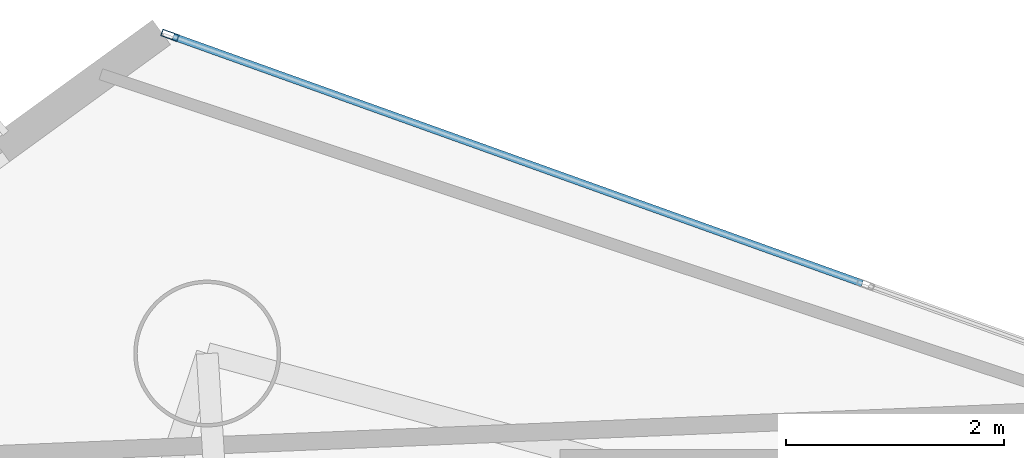
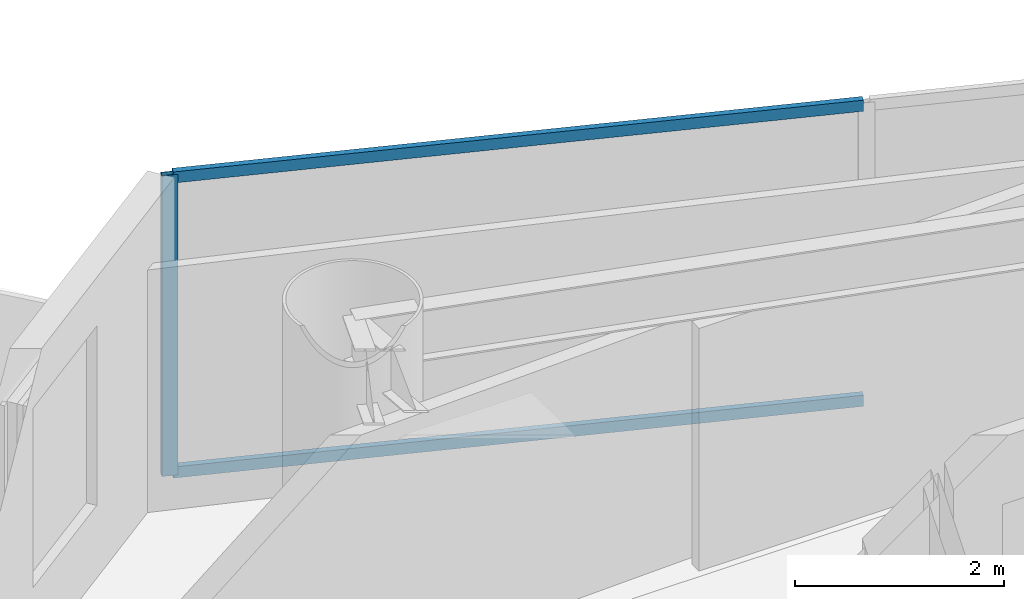
# One storey, part 16 of 21: 3 members, 1 element without a shape of its own.
"""IFC4 building model written with IfcOpenShell, lengths in metres."""

from ifc_helpers import new_model, si_unit, direction, frame, origin, origin_2d, place, context, subcontext, project, spatial, hollow_rectangle, extrude, material, layer, layer_set, material_profile, profile_set, type_object, element, aggregate, save


model = new_model("IFC4")

# Units and contexts
model_context = context("Model", 3, precision=1e-05, world=origin(), true_north=direction((0.0, 1.0)))
body_context = subcontext(model_context, "Body", "Model", "MODEL_VIEW")
ifc_project = project(units=[si_unit("LENGTHUNIT", "METRE"), si_unit("AREAUNIT", "SQUARE_METRE"), si_unit("VOLUMEUNIT", "CUBIC_METRE"), si_unit("PLANEANGLEUNIT", "RADIAN"), si_unit("MASSUNIT", "GRAM", prefix="KILO")], contexts=[model_context])

# Site, building, storey
site_placement = place(None, origin())
site = spatial("IfcSite", under=ifc_project, at=site_placement, CompositionType="ELEMENT")
building_placement = place(site_placement, origin())
building = spatial("IfcBuilding", under=site, at=building_placement, Name="Qianvela Tower", CompositionType="ELEMENT")
storey_placement = place(building_placement, frame((0.0, 0.0, 166.10009765625)))
storey = spatial("IfcBuildingStorey", under=building, at=storey_placement, Name="L42", CompositionType="ELEMENT", Elevation=166.10009765625)

# Curtain wall, members
ifc_material_1 = material(Name="Anodised Architectural Aluminium and Low-E Glass", Category="aluminium")
ifc_layer = layer(ifc_material_1, 0.169921875)
ifc_layer_set = layer_set([ifc_layer], Name="Anodised Architectural Aluminium and Low-E Glass")
curtain_wall_type = type_object("IfcCurtainWallType", Name="CW-COLIV-Z34", PredefinedType="USERDEFINED", material=ifc_layer_set)
curtain_wall_placement = place(storey_placement, origin())
curtain_wall = element("IfcCurtainWall", 1, at=curtain_wall_placement, inside=storey, type_object=curtain_wall_type, Name="L42 CW-COLIV-Z34 Curtain Wall 02C", ObjectType="CURTAIN_WALL_SYSTEM", PredefinedType="USERDEFINED")
ifc_material_2 = material(Name="Anodised Architectural Aluminium 6063-T6", Category="aluminium")
ifc_material_profile_1 = material_profile(ifc_material_2, hollow_rectangle(XDim=0.06494140625, YDim=0.159912109375, WallThickness=0.0048828125, at=origin_2d()), Name="ALU-MULL-65x160")
ifc_profile_set_1 = profile_set([ifc_material_profile_1], Name="Anodised Architectural Aluminium 6063-T6")
member_type_1 = type_object("IfcMemberType", Name="CW-COLIV-Z34-MULL", PredefinedType="MULLION", material=ifc_profile_set_1)
member_1_placement = place(storey_placement, frame((27.892822265625, 42.335693359375, 0.0), z_axis=(0.0, 0.0, 1.0), x_axis=(-0.3373095165, -0.941393801806, 0.0)))
member_1 = element("IfcMember", 2, at=member_1_placement, type_object=member_type_1, Name="CW-4 mullion 3", PredefinedType="MULLION", context=body_context, shape_type="SweptSolid", body=[
    extrude(hollow_rectangle(XDim=0.06494140625, YDim=0.159912109375, WallThickness=0.0048828125, at=origin_2d()), origin(), (0.0, 0.0, 1.0), 3.52001953125),
])
ifc_material_3 = material(Name="Anodised Architectural Aluminium 6063-T6", Category="aluminium")
ifc_material_profile_2 = material_profile(ifc_material_3, hollow_rectangle(XDim=0.06494140625, YDim=0.1298828125, WallThickness=0.00439453125, at=origin_2d()), Name="ALU-TRAN-65x130")
ifc_profile_set_2 = profile_set([ifc_material_profile_2], Name="Anodised Architectural Aluminium 6063-T6")
member_type_2 = type_object("IfcMemberType", Name="CW-COLIV-Z34-TRAN", PredefinedType="USERDEFINED", material=ifc_profile_set_2)
member_2_placement = place(storey_placement, frame((34.255859375, 40.0556640625, 0.032470703125), z_axis=(-0.941391601174, 0.337315658158, 0.0), x_axis=(-0.337315658158, -0.941391601174, 0.0)))
member_2 = element("IfcMember", 3, at=member_2_placement, type_object=member_type_2, Name="CW-4 transom 2.1", ObjectType="TRANSOM", PredefinedType="USERDEFINED", context=body_context, shape_type="SweptSolid", body=[
    extrude(hollow_rectangle(XDim=0.06494140625, YDim=0.1298828125, WallThickness=0.00439453125, at=origin_2d()), origin(), (0.0, 0.0, 1.0), 6.726806640625),
])
member_3_placement = place(storey_placement, frame((34.255859375, 40.0556640625, 3.4873046875), z_axis=(-0.941391601174, 0.337315658158, 0.0), x_axis=(-0.337315658158, -0.941391601174, 0.0)))
member_3 = element("IfcMember", 4, at=member_3_placement, type_object=member_type_2, Name="CW-4 transom 2.2", ObjectType="TRANSOM", PredefinedType="USERDEFINED", context=body_context, shape_type="SweptSolid", body=[
    extrude(hollow_rectangle(XDim=0.06494140625, YDim=0.1298828125, WallThickness=0.00439453125, at=origin_2d()), origin(), (0.0, 0.0, 1.0), 6.726806640625),
])
aggregate(curtain_wall, [member_1, member_2, member_3])

save(model, "model.ifc")
